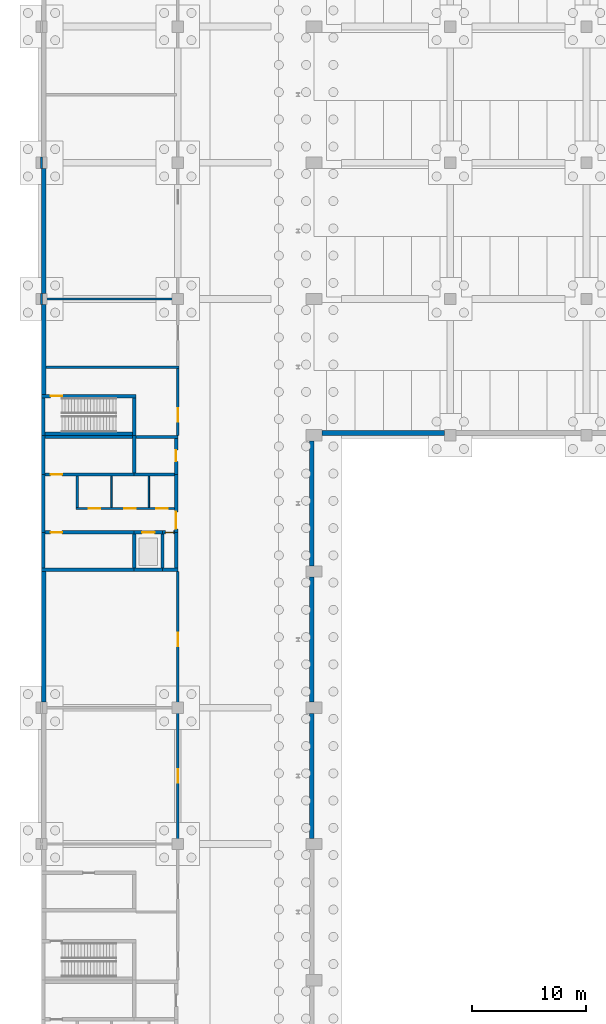
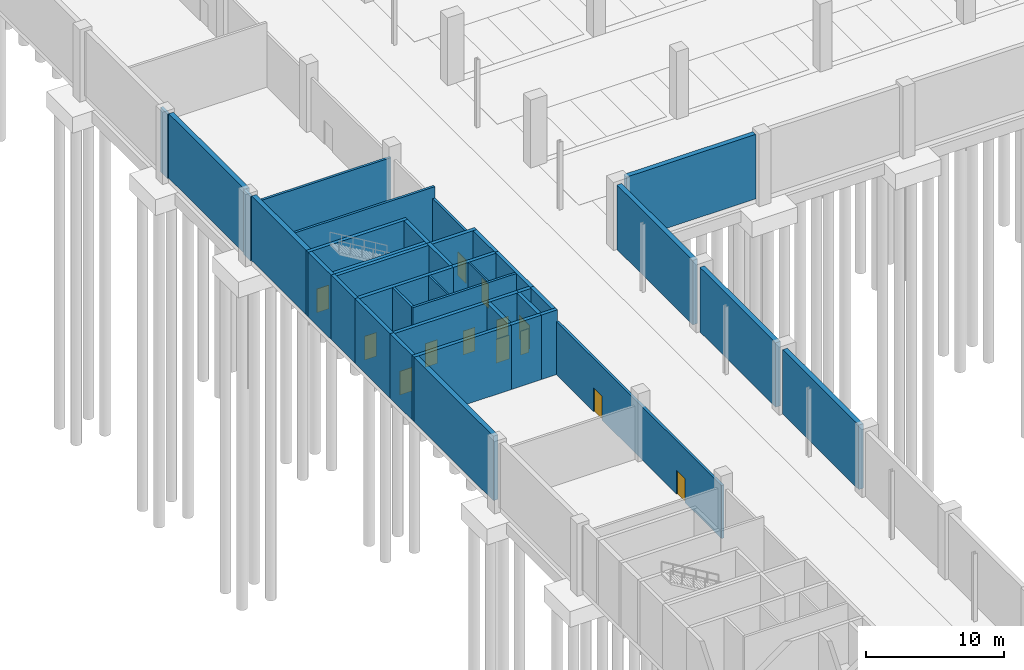
# One storey, part 17 of 34: 40 walls, 13 doors, 13 openings.
"""IFC4 building model written with IfcOpenShell, lengths in metres."""

from ifc_helpers import new_model, si_unit, direction, frame, frame_2d, origin, place, context, subcontext, project, spatial, rectangle, extrude, material, layer, layer_set, type_object, element, fill, save


model = new_model("IFC4")

# Units and contexts
model_context = context("Model", 3, precision=1e-05, world=origin(), true_north=direction((0.0, 1.0)))
body_context = subcontext(model_context, "Body", "Model", "MODEL_VIEW")
ifc_project = project(units=[si_unit("LENGTHUNIT", "METRE"), si_unit("AREAUNIT", "SQUARE_METRE"), si_unit("VOLUMEUNIT", "CUBIC_METRE"), si_unit("PLANEANGLEUNIT", "RADIAN"), si_unit("MASSUNIT", "GRAM", prefix="KILO")], contexts=[model_context])

# Site, building, storey
site_placement = place(None, origin())
site = spatial("IfcSite", under=ifc_project, at=site_placement, CompositionType="ELEMENT")
building_placement = place(site_placement, origin())
building = spatial("IfcBuilding", under=site, at=building_placement, Name="Lilac Gate Convention Centre", CompositionType="ELEMENT")
storey_placement = place(building_placement, frame((0.0, 0.0, -6.0)))
storey = spatial("IfcBuildingStorey", under=building, at=storey_placement, Name="B1", CompositionType="ELEMENT", Elevation=-6.0)

# Walls
ifc_material_1 = material(Name="Concrete C35", Category="concrete")
ifc_layer_1 = layer(ifc_material_1, 0.39990234375)
ifc_layer_set_1 = layer_set([ifc_layer_1], Name="Concrete C35")
wall_type_1 = type_object("IfcWallType", Name="Basement wall 400 C35", PredefinedType="SOLIDWALL", material=ifc_layer_set_1)
for number, where, z_axis, x_axis, name in (
    (1, (29.800048828125, 66.5, 0.0), (0.0, 0.0, 1.0), (0.0, 1.0, 0.0), "SW2 basement wall 4 at 3/A"),
    (2, (29.800048828125, 78.5, 0.0), (0.0, 0.0, 1.0), (0.0, 1.0, 0.0), "SW2 basement wall 5 at 3/A"),
    (3, (29.800048828125, 90.5, 0.0), (0.0, 0.0, 1.0), (0.0, 1.0, 0.0), "SW2 basement wall 6 at 3/A"),
):
    element("IfcWall", number, at=place(storey_placement, frame(where, z_axis=z_axis, x_axis=x_axis)), inside=storey, type_object=wall_type_1, Name=name, PredefinedType="SOLIDWALL", context=body_context, shape_type="SweptSolid", body=[
        extrude(rectangle(XDim=11.0, YDim=0.39990234375, at=frame_2d((5.5, 0.0))), origin(), (0.0, 0.0, 1.0), 5.699951171875),
    ])
wall_1_placement = place(storey_placement, frame((30.699951171875, 102.199951171875, 0.0), z_axis=(0.0, 0.0, 1.0), x_axis=(1.0, 0.0, 0.0)))
element("IfcWall", 4, at=wall_1_placement, inside=storey, type_object=wall_type_1, Name="SW2 basement wall 1 at 3/G", PredefinedType="SOLIDWALL", context=body_context, shape_type="SweptSolid", body=[
    extrude(rectangle(XDim=10.800048828125, YDim=0.39990234375, at=frame_2d((5.39990234375, 0.0))), origin(), (0.0, 0.0, 1.0), 5.699951171875),
])
wall_2_placement = place(storey_placement, frame((6.199951171875, 78.5, 0.0), z_axis=(0.0, 0.0, 1.0), x_axis=(0.0, 1.0, 0.0)))
element("IfcWall", 5, at=wall_2_placement, inside=storey, type_object=wall_type_1, Name="SW2 basement wall 7 at 1/A", PredefinedType="SOLIDWALL", context=body_context, shape_type="SweptSolid", body=[
    extrude(rectangle(XDim=11.5, YDim=0.39990234375, at=frame_2d((5.75, 0.0))), origin(), (0.0, 0.0, 1.0), 5.699951171875),
])
wall_3_placement = place(storey_placement, frame((6.199951171875, 105.60009765625, 0.0), z_axis=(0.0, 0.0, 1.0), x_axis=(0.0, 1.0, 0.0)))
element("IfcWall", 6, at=wall_3_placement, inside=storey, type_object=wall_type_1, Name="SW2 basement wall 8 at 1/A", PredefinedType="SOLIDWALL", context=body_context, shape_type="SweptSolid", body=[
    extrude(rectangle(XDim=7.89990234375, YDim=0.39990234375, at=frame_2d((3.949951171875, 0.0))), origin(), (0.0, 0.0, 1.0), 5.699951171875),
])
wall_4_placement = place(storey_placement, frame((6.199951171875, 114.5, 0.0), z_axis=(0.0, 0.0, 1.0), x_axis=(0.0, 1.0, 0.0)))
element("IfcWall", 7, at=wall_4_placement, inside=storey, type_object=wall_type_1, Name="SW2 basement wall 9 at 1/A", PredefinedType="SOLIDWALL", context=body_context, shape_type="SweptSolid", body=[
    extrude(rectangle(XDim=11.0, YDim=0.39990234375, at=frame_2d((5.5, 0.0))), origin(), (0.0, 0.0, 1.0), 5.699951171875),
])
ifc_material_2 = material(Name="Fire-rated gypsum board on steel stud", Category="steel")
ifc_layer_2 = layer(ifc_material_2, 0.14990234375)
ifc_layer_set_2 = layer_set([ifc_layer_2], Name="Fire-rated gypsum board on steel stud")
wall_type_2 = type_object("IfcWallType", Name="Partition 150 fire-rated gypsum board EI 60", PredefinedType="PARTITIONING", material=ifc_layer_set_2)
for number, where, z_axis, x_axis, name in (
    (8, (12.14990234375, 95.64990234375, 0.0), (0.0, 0.0, 1.0), (0.0, 1.0, 0.0), "Partition 150 fire-rated gypsum board EI 60"),
    (9, (15.449951171875, 95.64990234375, 0.0), (0.0, 0.0, 1.0), (0.0, 1.0, 0.0), "Partition 150 fire-rated gypsum board EI 60"),
):
    element("IfcWall", number, at=place(storey_placement, frame(where, z_axis=z_axis, x_axis=x_axis)), inside=storey, type_object=wall_type_2, Name=name, PredefinedType="PARTITIONING", context=body_context, shape_type="SweptSolid", body=[
        extrude(rectangle(XDim=2.75, YDim=0.14990234375, at=frame_2d((1.375, 0.0))), origin(), (0.0, 0.0, 1.0), 5.699951171875),
    ])
ifc_material_3 = material(Name="Clay brick masonry", Category="masonry")
ifc_layer_3 = layer(ifc_material_3, 0.199951171875)
ifc_layer_set_3 = layer_set([ifc_layer_3], Name="Clay brick masonry")
wall_type_3 = type_object("IfcWallType", Name="Partition 200 brick EI 120", PredefinedType="PARTITIONING", material=ifc_layer_set_3)
wall_5_placement = place(storey_placement, frame((6.39990234375, 108.0, 0.0), z_axis=(0.0, 0.0, 1.0), x_axis=(1.0, 0.0, 0.0)))
element("IfcWall", 10, at=wall_5_placement, inside=storey, type_object=wall_type_3, Name="Partition 200 brick EI 120", PredefinedType="PARTITIONING", context=body_context, shape_type="SweptSolid", body=[
    extrude(rectangle(XDim=11.7001953125, YDim=0.199951171875, at=frame_2d((5.85009765625, 0.0))), origin(), (0.0, 0.0, 1.0), 5.699951171875),
])
wall_6_placement = place(storey_placement, frame((6.10009765625, 114.0, 0.0), z_axis=(0.0, 0.0, 1.0), x_axis=(1.0, 0.0, 0.0)))
element("IfcWall", 11, at=wall_6_placement, inside=storey, type_object=wall_type_3, Name="Partition 200 brick EI 120", PredefinedType="PARTITIONING", context=body_context, shape_type="SweptSolid", body=[
    extrude(rectangle(XDim=11.7998046875, YDim=0.199951171875, at=frame_2d((5.89990234375, 0.0))), origin(), (0.0, 0.0, 1.0), 4.699951171875),
])
for number, where, z_axis, x_axis, name in (
    (12, (6.0, 113.5, 0.0), (0.0, 0.0, 1.0), (0.0, 1.0, 0.0), "Partition 200 brick EI 120"),
    (13, (6.0, 125.5, 0.0), (0.0, 0.0, 1.0), (0.0, 1.0, 0.0), "Partition 200 brick EI 120"),
):
    element("IfcWall", number, at=place(storey_placement, frame(where, z_axis=z_axis, x_axis=x_axis)), inside=storey, type_object=wall_type_3, Name=name, PredefinedType="PARTITIONING", context=body_context, shape_type="SweptSolid", body=[
        extrude(rectangle(XDim=1.0, YDim=0.199951171875, at=frame_2d((0.5, 0.0))), origin(), (0.0, 0.0, 1.0), 5.699951171875),
    ])

# Wall, openings, doors
wall_7_placement = place(storey_placement, frame((18.0, 66.10009765625, 0.0), z_axis=(0.0, 0.0, 1.0), x_axis=(0.0, 1.0, 0.0)))
wall_7 = element("IfcWall", 14, at=wall_7_placement, inside=storey, type_object=wall_type_3, Name="Partition 200 brick EI 120", PredefinedType="PARTITIONING", context=body_context, shape_type="SweptSolid", body=[
    extrude(rectangle(XDim=23.89990234375, YDim=0.199951171875, at=frame_2d((11.949951171875, 0.0))), origin(), (0.0, 0.0, 1.0), 4.699951171875),
])
opening_1_placement = place(wall_7_placement, frame((5.300048828125, 0.0, 0.0)))
opening_1 = element("IfcOpeningElement", 15, at=opening_1_placement, cuts=wall_7, Name="Opening B1-013", PredefinedType="OPENING", context=body_context, shape_type="SweptSolid", body=[
    extrude(rectangle(XDim=1.199951171875, YDim=2.10009765625, at=frame_2d((0.60009765625, 1.050048828125))), frame((0.0, 0.10986328125, 0.0), z_axis=(0.0, -1.0, 0.0), x_axis=(1.0, 0.0, 0.0)), (0.0, 0.0, 1.0), 0.219970703125),
])
opening_2_placement = place(wall_7_placement, frame((17.300048828125, 0.0, 0.0)))
opening_2 = element("IfcOpeningElement", 16, at=opening_2_placement, cuts=wall_7, Name="Opening B1-014", PredefinedType="OPENING", context=body_context, shape_type="SweptSolid", body=[
    extrude(rectangle(XDim=1.199951171875, YDim=2.10009765625, at=frame_2d((0.60009765625, 1.050048828125))), frame((0.0, 0.10986328125, 0.0), z_axis=(0.0, -1.0, 0.0), x_axis=(1.0, 0.0, 0.0)), (0.0, 0.0, 1.0), 0.219970703125),
])
ifc_material_4 = material(Name="Timber fire door leaf", Category="wood")
door_type_1 = type_object("IfcDoorType", Name="Door 1200 x 2100 single leaf FD30", OperationType="SINGLE_SWING_LEFT", PredefinedType="DOOR", material=ifc_material_4)
door_1_placement = place(opening_1_placement, origin())
door_1 = element("IfcDoor", 17, at=door_1_placement, inside=storey, type_object=door_type_1, Name="Plant room door B1-013", OperationType="SINGLE_SWING_LEFT", OverallHeight=2.10009765625, OverallWidth=1.199951171875, PredefinedType="DOOR", context=body_context, shape_type="SweptSolid", body=[
    extrude(rectangle(XDim=1.199951171875, YDim=2.10009765625, at=frame_2d((0.60009765625, 1.050048828125))), frame((0.0, 0.02490234375, 0.0), z_axis=(0.0, -1.0, 0.0), x_axis=(1.0, 0.0, 0.0)), (0.0, 0.0, 1.0), 0.050048828125),
])
fill(opening_1, door_1)
door_2_placement = place(opening_2_placement, origin())
door_2 = element("IfcDoor", 18, at=door_2_placement, inside=storey, type_object=door_type_1, Name="Plant room door B1-014", OperationType="SINGLE_SWING_LEFT", OverallHeight=2.10009765625, OverallWidth=1.199951171875, PredefinedType="DOOR", context=body_context, shape_type="SweptSolid", body=[
    extrude(rectangle(XDim=1.199951171875, YDim=2.10009765625, at=frame_2d((0.60009765625, 1.050048828125))), frame((0.0, 0.02490234375, 0.0), z_axis=(0.0, -1.0, 0.0), x_axis=(1.0, 0.0, 0.0)), (0.0, 0.0, 1.0), 0.050048828125),
])
fill(opening_2, door_2)

ifc_layer_4 = layer(ifc_material_3, 0.199951171875)
ifc_layer_set_4 = layer_set([ifc_layer_4], Name="Clay brick masonry")
wall_type_4 = type_object("IfcWallType", Name="Partition 200 brick EI 60", PredefinedType="PARTITIONING", material=ifc_layer_set_4)
wall_8_placement = place(storey_placement, frame((9.050048828125, 95.550048828125, 0.0), z_axis=(0.0, 0.0, 1.0), x_axis=(1.0, 0.0, 0.0)))
wall_8 = element("IfcWall", 19, at=wall_8_placement, inside=storey, type_object=wall_type_4, Name="Partition 200 brick EI 60", PredefinedType="PARTITIONING", context=body_context, shape_type="SweptSolid", body=[
    extrude(rectangle(XDim=8.64990234375, YDim=0.199951171875, at=frame_2d((4.324951171875, 0.0))), origin(), (0.0, 0.0, 1.0), 5.699951171875),
])
opening_3_placement = place(wall_8_placement, frame((1.10009765625, 0.0, 0.0)))
opening_3 = element("IfcOpeningElement", 20, at=opening_3_placement, cuts=wall_8, Name="Opening B1-018", PredefinedType="OPENING", context=body_context, shape_type="SweptSolid", body=[
    extrude(rectangle(XDim=1.0, YDim=2.10009765625, at=frame_2d((0.5, 1.050048828125))), frame((0.0, 0.10986328125, 0.0), z_axis=(0.0, -1.0, 0.0), x_axis=(1.0, 0.0, 0.0)), (0.0, 0.0, 1.0), 0.219970703125),
])
opening_4_placement = place(wall_8_placement, frame((4.25, 0.0, 0.0)))
opening_4 = element("IfcOpeningElement", 21, at=opening_4_placement, cuts=wall_8, Name="Opening B1-019", PredefinedType="OPENING", context=body_context, shape_type="SweptSolid", body=[
    extrude(rectangle(XDim=1.0, YDim=2.10009765625, at=frame_2d((0.5, 1.050048828125))), frame((0.0, 0.10986328125, 0.0), z_axis=(0.0, -1.0, 0.0), x_axis=(1.0, 0.0, 0.0)), (0.0, 0.0, 1.0), 0.219970703125),
])
opening_5_placement = place(wall_8_placement, frame((7.050048828125, 0.0, 0.0)))
opening_5 = element("IfcOpeningElement", 22, at=opening_5_placement, cuts=wall_8, Name="Opening B1-020", PredefinedType="OPENING", context=body_context, shape_type="SweptSolid", body=[
    extrude(rectangle(XDim=1.0, YDim=2.10009765625, at=frame_2d((0.5, 1.050048828125))), frame((0.0, 0.10986328125, 0.0), z_axis=(0.0, -1.0, 0.0), x_axis=(1.0, 0.0, 0.0)), (0.0, 0.0, 1.0), 0.219970703125),
])
door_type_2 = type_object("IfcDoorType", Name="Door 1000 x 2100 single leaf FD30", OperationType="SINGLE_SWING_LEFT", PredefinedType="DOOR", material=ifc_material_4)
door_3_placement = place(opening_3_placement, origin())
door_3 = element("IfcDoor", 23, at=door_3_placement, inside=storey, type_object=door_type_2, Name="WC door B1-018", OperationType="SINGLE_SWING_RIGHT", OverallHeight=2.10009765625, OverallWidth=1.0, PredefinedType="DOOR", context=body_context, shape_type="SweptSolid", body=[
    extrude(rectangle(XDim=1.0, YDim=2.10009765625, at=frame_2d((0.5, 1.050048828125))), frame((0.0, 0.02490234375, 0.0), z_axis=(0.0, -1.0, 0.0), x_axis=(1.0, 0.0, 0.0)), (0.0, 0.0, 1.0), 0.050048828125),
])
fill(opening_3, door_3)
door_4_placement = place(opening_4_placement, origin())
door_4 = element("IfcDoor", 24, at=door_4_placement, inside=storey, type_object=door_type_2, Name="WC door B1-019", OperationType="SINGLE_SWING_LEFT", OverallHeight=2.10009765625, OverallWidth=1.0, PredefinedType="DOOR", context=body_context, shape_type="SweptSolid", body=[
    extrude(rectangle(XDim=1.0, YDim=2.10009765625, at=frame_2d((0.5, 1.050048828125))), frame((0.0, 0.02490234375, 0.0), z_axis=(0.0, -1.0, 0.0), x_axis=(1.0, 0.0, 0.0)), (0.0, 0.0, 1.0), 0.050048828125),
])
fill(opening_4, door_4)
door_5_placement = place(opening_5_placement, origin())
door_5 = element("IfcDoor", 25, at=door_5_placement, inside=storey, type_object=door_type_2, Name="Accessible WC door B1-020", OperationType="SINGLE_SWING_LEFT", OverallHeight=2.10009765625, OverallWidth=1.0, PredefinedType="DOOR", context=body_context, shape_type="SweptSolid", body=[
    extrude(rectangle(XDim=1.0, YDim=2.10009765625, at=frame_2d((0.5, 1.050048828125))), frame((0.0, 0.02490234375, 0.0), z_axis=(0.0, -1.0, 0.0), x_axis=(1.0, 0.0, 0.0)), (0.0, 0.0, 1.0), 0.050048828125),
])
fill(opening_5, door_5)

# Wall
wall_9_placement = place(storey_placement, frame((9.14990234375, 95.64990234375, 0.0), z_axis=(0.0, 0.0, 1.0), x_axis=(0.0, 1.0, 0.0)))
element("IfcWall", 26, at=wall_9_placement, inside=storey, type_object=wall_type_4, Name="Partition 200 brick EI 60", PredefinedType="PARTITIONING", context=body_context, shape_type="SweptSolid", body=[
    extrude(rectangle(XDim=2.75, YDim=0.199951171875, at=frame_2d((1.375, 0.0))), origin(), (0.0, 0.0, 1.0), 5.699951171875),
])

# Wall, opening, door
wall_10_placement = place(storey_placement, frame((18.0, 102.0, 0.0), z_axis=(0.0, 0.0, 1.0), x_axis=(0.0, 1.0, 0.0)))
wall_10 = element("IfcWall", 27, at=wall_10_placement, inside=storey, type_object=wall_type_4, Name="Partition 200 brick EI 60", PredefinedType="PARTITIONING", context=body_context, shape_type="SweptSolid", body=[
    extrude(rectangle(XDim=5.89990234375, YDim=0.199951171875, at=frame_2d((2.949951171875, 0.0))), origin(), (0.0, 0.0, 1.0), 4.699951171875),
])
opening_6_placement = place(wall_10_placement, frame((1.199951171875, 0.0, 0.0)))
opening_6 = element("IfcOpeningElement", 28, at=opening_6_placement, cuts=wall_10, Name="Opening B1-023", PredefinedType="OPENING", context=body_context, shape_type="SweptSolid", body=[
    extrude(rectangle(XDim=1.199951171875, YDim=2.10009765625, at=frame_2d((0.60009765625, 1.050048828125))), frame((0.0, 0.10986328125, 0.0), z_axis=(0.0, -1.0, 0.0), x_axis=(1.0, 0.0, 0.0)), (0.0, 0.0, 1.0), 0.219970703125),
])
door_type_3 = type_object("IfcDoorType", Name="Door 1200 x 2100 single leaf FD60", OperationType="SINGLE_SWING_LEFT", PredefinedType="DOOR", material=ifc_material_4)
door_6_placement = place(opening_6_placement, origin())
door_6 = element("IfcDoor", 29, at=door_6_placement, inside=storey, type_object=door_type_3, Name="Lobby door B1-023", OperationType="SINGLE_SWING_RIGHT", OverallHeight=2.10009765625, OverallWidth=1.199951171875, PredefinedType="DOOR", context=body_context, shape_type="SweptSolid", body=[
    extrude(rectangle(XDim=1.199951171875, YDim=2.10009765625, at=frame_2d((0.60009765625, 1.050048828125))), frame((0.0, 0.02490234375, 0.0), z_axis=(0.0, -1.0, 0.0), x_axis=(1.0, 0.0, 0.0)), (0.0, 0.0, 1.0), 0.050048828125),
])
fill(opening_6, door_6)

# Wall
ifc_material_5 = material(Name="Concrete C40", Category="concrete")
ifc_layer_5 = layer(ifc_material_5, 0.300048828125)
ifc_layer_set_5 = layer_set([ifc_layer_5], Name="Concrete C40")
wall_type_5 = type_object("IfcWallType", Name="Shear wall 300 C40", PredefinedType="SHEAR", material=ifc_layer_set_5)
wall_11_placement = place(storey_placement, frame((6.0, 102.14990234375, 0.0), z_axis=(0.0, 0.0, 1.0), x_axis=(1.0, 0.0, 0.0)))
element("IfcWall", 30, at=wall_11_placement, inside=storey, type_object=wall_type_5, Name="SW1 shear wall BW2 B1 1", PredefinedType="SHEAR", context=body_context, shape_type="SweptSolid", body=[
    extrude(rectangle(XDim=8.300048828125, YDim=0.300048828125, at=frame_2d((4.14990234375, 0.0))), origin(), (0.0, 0.0, 1.0), 5.699951171875),
])

# Wall, opening, door
wall_12_placement = place(storey_placement, frame((6.0, 105.449951171875, 0.0), z_axis=(0.0, 0.0, 1.0), x_axis=(1.0, 0.0, 0.0)))
wall_12 = element("IfcWall", 31, at=wall_12_placement, inside=storey, type_object=wall_type_5, Name="SW1 shear wall BW2 B1 2", PredefinedType="SHEAR", context=body_context, shape_type="SweptSolid", body=[
    extrude(rectangle(XDim=8.300048828125, YDim=0.300048828125, at=frame_2d((4.14990234375, 0.0))), origin(), (0.0, 0.0, 1.0), 5.699951171875),
])
opening_7_placement = place(wall_12_placement, frame((0.800048828125, 0.0, 0.0)))
opening_7 = element("IfcOpeningElement", 32, at=opening_7_placement, cuts=wall_12, Name="Opening B1-024", PredefinedType="OPENING", context=body_context, shape_type="SweptSolid", body=[
    extrude(rectangle(XDim=1.0, YDim=2.10009765625, at=frame_2d((0.5, 1.050048828125))), frame((0.0, 0.159912109375, 0.0), z_axis=(0.0, -1.0, 0.0), x_axis=(1.0, 0.0, 0.0)), (0.0, 0.0, 1.0), 0.320068359375),
])
door_type_4 = type_object("IfcDoorType", Name="Door 1000 x 2100 single leaf FD60", OperationType="SINGLE_SWING_LEFT", PredefinedType="DOOR", material=ifc_material_4)
door_7_placement = place(opening_7_placement, frame((1.0, 0.0, 0.0), z_axis=(0.0, 0.0, 1.0), x_axis=(-1.0, 0.0, 0.0)))
door_7 = element("IfcDoor", 33, at=door_7_placement, inside=storey, type_object=door_type_4, Name="Stair door B1-024", OperationType="SINGLE_SWING_LEFT", OverallHeight=2.10009765625, OverallWidth=1.0, PredefinedType="DOOR", context=body_context, shape_type="SweptSolid", body=[
    extrude(rectangle(XDim=1.0, YDim=2.10009765625, at=frame_2d((0.5, 1.050048828125))), frame((0.0, 0.02490234375, 0.0), z_axis=(0.0, -1.0, 0.0), x_axis=(1.0, 0.0, 0.0)), (0.0, 0.0, 1.0), 0.050048828125),
])
fill(opening_7, door_7)

# Walls
for number, where, z_axis, x_axis, name in (
    (34, (6.14990234375, 102.0, 0.0), (0.0, 0.0, 1.0), (0.0, 1.0, 0.0), "SW1 shear wall BW2 B1 3"),
    (35, (14.14990234375, 102.0, 0.0), (0.0, 0.0, 1.0), (0.0, 1.0, 0.0), "SW1 shear wall BW2 B1 4"),
):
    element("IfcWall", number, at=place(storey_placement, frame(where, z_axis=z_axis, x_axis=x_axis)), inside=storey, type_object=wall_type_5, Name=name, PredefinedType="SHEAR", context=body_context, shape_type="SweptSolid", body=[
        extrude(rectangle(XDim=3.300048828125, YDim=0.300048828125, at=frame_2d((1.64990234375, 0.0))), origin(), (0.0, 0.0, 1.0), 5.699951171875),
    ])
wall_13_placement = place(storey_placement, frame((6.0, 90.14990234375, 0.0), z_axis=(0.0, 0.0, 1.0), x_axis=(1.0, 0.0, 0.0)))
element("IfcWall", 36, at=wall_13_placement, inside=storey, type_object=wall_type_5, Name="SW1 shear wall W2 B1 1", PredefinedType="SHEAR", context=body_context, shape_type="SweptSolid", body=[
    extrude(rectangle(XDim=8.14990234375, YDim=0.300048828125, at=frame_2d((4.074951171875, 0.0))), origin(), (0.0, 0.0, 1.0), 5.699951171875),
])
wall_14_placement = place(storey_placement, frame((14.14990234375, 90.14990234375, 0.0), z_axis=(0.0, 0.0, 1.0), x_axis=(1.0, 0.0, 0.0)))
element("IfcWall", 37, at=wall_14_placement, inside=storey, type_object=wall_type_5, Name="SW1 shear wall W2 B1 2", PredefinedType="SHEAR", context=body_context, shape_type="SweptSolid", body=[
    extrude(rectangle(XDim=2.5, YDim=0.300048828125, at=frame_2d((1.25, 0.0))), origin(), (0.0, 0.0, 1.0), 5.699951171875),
])
wall_15_placement = place(storey_placement, frame((16.64990234375, 90.14990234375, 0.0), z_axis=(0.0, 0.0, 1.0), x_axis=(1.0, 0.0, 0.0)))
element("IfcWall", 38, at=wall_15_placement, inside=storey, type_object=wall_type_5, Name="SW1 shear wall W2 B1 3", PredefinedType="SHEAR", context=body_context, shape_type="SweptSolid", body=[
    extrude(rectangle(XDim=1.35009765625, YDim=0.300048828125, at=frame_2d((0.675048828125, 0.0))), origin(), (0.0, 0.0, 1.0), 5.699951171875),
])
wall_16_placement = place(storey_placement, frame((6.0, 101.85009765625, 0.0), z_axis=(0.0, 0.0, 1.0), x_axis=(1.0, 0.0, 0.0)))
element("IfcWall", 39, at=wall_16_placement, inside=storey, type_object=wall_type_5, Name="SW1 shear wall W2 B1 4", PredefinedType="SHEAR", context=body_context, shape_type="SweptSolid", body=[
    extrude(rectangle(XDim=8.14990234375, YDim=0.300048828125, at=frame_2d((4.074951171875, 0.0))), origin(), (0.0, 0.0, 1.0), 5.699951171875),
])
wall_17_placement = place(storey_placement, frame((14.14990234375, 101.85009765625, 0.0), z_axis=(0.0, 0.0, 1.0), x_axis=(1.0, 0.0, 0.0)))
element("IfcWall", 40, at=wall_17_placement, inside=storey, type_object=wall_type_5, Name="SW1 shear wall W2 B1 5", PredefinedType="SHEAR", context=body_context, shape_type="SweptSolid", body=[
    extrude(rectangle(XDim=3.85009765625, YDim=0.300048828125, at=frame_2d((1.925048828125, 0.0))), origin(), (0.0, 0.0, 1.0), 5.699951171875),
])

# Wall, opening, door
wall_18_placement = place(storey_placement, frame((6.0, 93.449951171875, 0.0), z_axis=(0.0, 0.0, 1.0), x_axis=(1.0, 0.0, 0.0)))
wall_18 = element("IfcWall", 41, at=wall_18_placement, inside=storey, type_object=wall_type_5, Name="SW1 shear wall W2 B1 6", PredefinedType="SHEAR", context=body_context, shape_type="SweptSolid", body=[
    extrude(rectangle(XDim=8.14990234375, YDim=0.300048828125, at=frame_2d((4.074951171875, 0.0))), origin(), (0.0, 0.0, 1.0), 5.699951171875),
])
opening_8_placement = place(wall_18_placement, frame((0.800048828125, 0.0, 0.0)))
opening_8 = element("IfcOpeningElement", 42, at=opening_8_placement, cuts=wall_18, Name="Opening B1-015", PredefinedType="OPENING", context=body_context, shape_type="SweptSolid", body=[
    extrude(rectangle(XDim=1.0, YDim=2.10009765625, at=frame_2d((0.5, 1.050048828125))), frame((0.0, 0.159912109375, 0.0), z_axis=(0.0, -1.0, 0.0), x_axis=(1.0, 0.0, 0.0)), (0.0, 0.0, 1.0), 0.320068359375),
])
door_8_placement = place(opening_8_placement, frame((1.0, 0.0, 0.0), z_axis=(0.0, 0.0, 1.0), x_axis=(-1.0, 0.0, 0.0)))
door_8 = element("IfcDoor", 43, at=door_8_placement, inside=storey, type_object=door_type_4, Name="Store door B1-015", OperationType="SINGLE_SWING_LEFT", OverallHeight=2.10009765625, OverallWidth=1.0, PredefinedType="DOOR", context=body_context, shape_type="SweptSolid", body=[
    extrude(rectangle(XDim=1.0, YDim=2.10009765625, at=frame_2d((0.5, 1.050048828125))), frame((0.0, 0.02490234375, 0.0), z_axis=(0.0, -1.0, 0.0), x_axis=(1.0, 0.0, 0.0)), (0.0, 0.0, 1.0), 0.050048828125),
])
fill(opening_8, door_8)

wall_19_placement = place(storey_placement, frame((14.14990234375, 93.449951171875, 0.0), z_axis=(0.0, 0.0, 1.0), x_axis=(1.0, 0.0, 0.0)))
wall_19 = element("IfcWall", 44, at=wall_19_placement, inside=storey, type_object=wall_type_5, Name="SW1 shear wall W2 B1 7", PredefinedType="SHEAR", context=body_context, shape_type="SweptSolid", body=[
    extrude(rectangle(XDim=2.5, YDim=0.300048828125, at=frame_2d((1.25, 0.0))), origin(), (0.0, 0.0, 1.0), 5.699951171875),
])
opening_9_placement = place(wall_19_placement, frame((0.699951171875, 0.0, 0.0)))
opening_9 = element("IfcOpeningElement", 45, at=opening_9_placement, cuts=wall_19, Name="Opening LDW2-B1", PredefinedType="OPENING", context=body_context, shape_type="SweptSolid", body=[
    extrude(rectangle(XDim=1.10009765625, YDim=2.10009765625, at=frame_2d((0.550048828125, 1.050048828125))), frame((0.0, 0.159912109375, 0.0), z_axis=(0.0, -1.0, 0.0), x_axis=(1.0, 0.0, 0.0)), (0.0, 0.0, 1.0), 0.320068359375),
])
ifc_material_6 = material(Name="Stainless steel 304", Category="steel")
door_type_5 = type_object("IfcDoorType", Name="Lift landing door 1100 x 2100", OperationType="SLIDING_TO_LEFT", PredefinedType="DOOR", material=ifc_material_6)
door_9_placement = place(opening_9_placement, origin())
door_9 = element("IfcDoor", 46, at=door_9_placement, inside=storey, type_object=door_type_5, Name="Lift landing door LDW2-B1", OperationType="SLIDING_TO_LEFT", OverallHeight=2.10009765625, OverallWidth=1.10009765625, PredefinedType="DOOR", context=body_context, shape_type="SweptSolid", body=[
    extrude(rectangle(XDim=1.10009765625, YDim=2.10009765625, at=frame_2d((0.550048828125, 1.050048828125))), frame((0.0, 0.02490234375, 0.0), z_axis=(0.0, -1.0, 0.0), x_axis=(1.0, 0.0, 0.0)), (0.0, 0.0, 1.0), 0.050048828125),
])
fill(opening_9, door_9)

wall_20_placement = place(storey_placement, frame((16.64990234375, 93.449951171875, 0.0), z_axis=(0.0, 0.0, 1.0), x_axis=(1.0, 0.0, 0.0)))
wall_20 = element("IfcWall", 47, at=wall_20_placement, inside=storey, type_object=wall_type_5, Name="SW1 shear wall W2 B1 8", PredefinedType="SHEAR", context=body_context, shape_type="SweptSolid", body=[
    extrude(rectangle(XDim=1.050048828125, YDim=0.300048828125, at=frame_2d((0.52490234375, 0.0))), origin(), (0.0, 0.0, 1.0), 5.699951171875),
])
opening_10_placement = place(wall_20_placement, frame((0.25, 0.0, 0.0)))
opening_10 = element("IfcOpeningElement", 48, at=opening_10_placement, cuts=wall_20, Name="Opening B1-016", PredefinedType="OPENING", context=body_context, shape_type="SweptSolid", body=[
    extrude(rectangle(XDim=0.699951171875, YDim=2.10009765625, at=frame_2d((0.35009765625, 1.050048828125))), frame((0.0, 0.159912109375, 0.0), z_axis=(0.0, -1.0, 0.0), x_axis=(1.0, 0.0, 0.0)), (0.0, 0.0, 1.0), 0.320068359375),
])
door_type_6 = type_object("IfcDoorType", Name="Door 700 x 2100 single leaf FD30", OperationType="SINGLE_SWING_LEFT", PredefinedType="DOOR", material=ifc_material_4)
door_10_placement = place(opening_10_placement, frame((0.699951171875, 0.0, 0.0), z_axis=(0.0, 0.0, 1.0), x_axis=(-1.0, 0.0, 0.0)))
door_10 = element("IfcDoor", 49, at=door_10_placement, inside=storey, type_object=door_type_6, Name="Riser access door B1-016", OperationType="SINGLE_SWING_LEFT", OverallHeight=2.10009765625, OverallWidth=0.699951171875, PredefinedType="DOOR", context=body_context, shape_type="SweptSolid", body=[
    extrude(rectangle(XDim=0.699951171875, YDim=2.10009765625, at=frame_2d((0.35009765625, 1.050048828125))), frame((0.0, 0.02490234375, 0.0), z_axis=(0.0, -1.0, 0.0), x_axis=(1.0, 0.0, 0.0)), (0.0, 0.0, 1.0), 0.050048828125),
])
fill(opening_10, door_10)

wall_21_placement = place(storey_placement, frame((6.0, 98.550048828125, 0.0), z_axis=(0.0, 0.0, 1.0), x_axis=(1.0, 0.0, 0.0)))
wall_21 = element("IfcWall", 50, at=wall_21_placement, inside=storey, type_object=wall_type_5, Name="SW1 shear wall W2 B1 9", PredefinedType="SHEAR", context=body_context, shape_type="SweptSolid", body=[
    extrude(rectangle(XDim=8.14990234375, YDim=0.300048828125, at=frame_2d((4.074951171875, 0.0))), origin(), (0.0, 0.0, 1.0), 5.699951171875),
])
opening_11_placement = place(wall_21_placement, frame((0.800048828125, 0.0, 0.0)))
opening_11 = element("IfcOpeningElement", 51, at=opening_11_placement, cuts=wall_21, Name="Opening B1-021", PredefinedType="OPENING", context=body_context, shape_type="SweptSolid", body=[
    extrude(rectangle(XDim=1.0, YDim=2.10009765625, at=frame_2d((0.5, 1.050048828125))), frame((0.0, 0.159912109375, 0.0), z_axis=(0.0, -1.0, 0.0), x_axis=(1.0, 0.0, 0.0)), (0.0, 0.0, 1.0), 0.320068359375),
])
door_11_placement = place(opening_11_placement, origin())
door_11 = element("IfcDoor", 52, at=door_11_placement, inside=storey, type_object=door_type_4, Name="Store door B1-021", OperationType="SINGLE_SWING_RIGHT", OverallHeight=2.10009765625, OverallWidth=1.0, PredefinedType="DOOR", context=body_context, shape_type="SweptSolid", body=[
    extrude(rectangle(XDim=1.0, YDim=2.10009765625, at=frame_2d((0.5, 1.050048828125))), frame((0.0, 0.02490234375, 0.0), z_axis=(0.0, -1.0, 0.0), x_axis=(1.0, 0.0, 0.0)), (0.0, 0.0, 1.0), 0.050048828125),
])
fill(opening_11, door_11)

# Walls
wall_22_placement = place(storey_placement, frame((14.14990234375, 98.550048828125, 0.0), z_axis=(0.0, 0.0, 1.0), x_axis=(1.0, 0.0, 0.0)))
element("IfcWall", 53, at=wall_22_placement, inside=storey, type_object=wall_type_5, Name="SW1 shear wall W2 B1 10", PredefinedType="SHEAR", context=body_context, shape_type="SweptSolid", body=[
    extrude(rectangle(XDim=3.550048828125, YDim=0.300048828125, at=frame_2d((1.77490234375, 0.0))), origin(), (0.0, 0.0, 1.0), 5.699951171875),
])
wall_23_placement = place(storey_placement, frame((6.14990234375, 90.300048828125, 0.0), z_axis=(0.0, 0.0, 1.0), x_axis=(0.0, 1.0, 0.0)))
element("IfcWall", 54, at=wall_23_placement, inside=storey, type_object=wall_type_5, Name="SW1 shear wall W2 B1 11", PredefinedType="SHEAR", context=body_context, shape_type="SweptSolid", body=[
    extrude(rectangle(XDim=3.14990234375, YDim=0.300048828125, at=frame_2d((1.574951171875, 0.0))), origin(), (0.0, 0.0, 1.0), 5.699951171875),
])
wall_24_placement = place(storey_placement, frame((6.14990234375, 93.449951171875, 0.0), z_axis=(0.0, 0.0, 1.0), x_axis=(0.0, 1.0, 0.0)))
element("IfcWall", 55, at=wall_24_placement, inside=storey, type_object=wall_type_5, Name="SW1 shear wall W2 B1 12", PredefinedType="SHEAR", context=body_context, shape_type="SweptSolid", body=[
    extrude(rectangle(XDim=5.10009765625, YDim=0.300048828125, at=frame_2d((2.550048828125, 0.0))), origin(), (0.0, 0.0, 1.0), 5.699951171875),
])
wall_25_placement = place(storey_placement, frame((6.14990234375, 98.550048828125, 0.0), z_axis=(0.0, 0.0, 1.0), x_axis=(0.0, 1.0, 0.0)))
element("IfcWall", 56, at=wall_25_placement, inside=storey, type_object=wall_type_5, Name="SW1 shear wall W2 B1 13", PredefinedType="SHEAR", context=body_context, shape_type="SweptSolid", body=[
    extrude(rectangle(XDim=3.449951171875, YDim=0.300048828125, at=frame_2d((1.72509765625, 0.0))), origin(), (0.0, 0.0, 1.0), 5.699951171875),
])
wall_26_placement = place(storey_placement, frame((17.85009765625, 90.300048828125, 0.0), z_axis=(0.0, 0.0, 1.0), x_axis=(0.0, 1.0, 0.0)))
element("IfcWall", 57, at=wall_26_placement, inside=storey, type_object=wall_type_5, Name="SW1 shear wall W2 B1 14", PredefinedType="SHEAR", context=body_context, shape_type="SweptSolid", body=[
    extrude(rectangle(XDim=3.14990234375, YDim=0.300048828125, at=frame_2d((1.574951171875, 0.0))), origin(), (0.0, 0.0, 1.0), 5.699951171875),
])

# Wall, opening, door
wall_27_placement = place(storey_placement, frame((17.85009765625, 93.449951171875, 0.0), z_axis=(0.0, 0.0, 1.0), x_axis=(0.0, 1.0, 0.0)))
wall_27 = element("IfcWall", 58, at=wall_27_placement, inside=storey, type_object=wall_type_5, Name="SW1 shear wall W2 B1 15", PredefinedType="SHEAR", context=body_context, shape_type="SweptSolid", body=[
    extrude(rectangle(XDim=5.10009765625, YDim=0.300048828125, at=frame_2d((2.550048828125, 0.0))), origin(), (0.0, 0.0, 1.0), 5.699951171875),
])
opening_12_placement = place(wall_27_placement, frame((0.300048828125, 0.0, 0.0)))
opening_12 = element("IfcOpeningElement", 59, at=opening_12_placement, cuts=wall_27, Name="Opening B1-017", PredefinedType="OPENING", context=body_context, shape_type="SweptSolid", body=[
    extrude(rectangle(XDim=1.5, YDim=2.10009765625, at=frame_2d((0.75, 1.050048828125))), frame((0.0, 0.159912109375, 0.0), z_axis=(0.0, -1.0, 0.0), x_axis=(1.0, 0.0, 0.0)), (0.0, 0.0, 1.0), 0.320068359375),
])
door_type_7 = type_object("IfcDoorType", Name="Door 1500 x 2100 double leaf FD30", OperationType="DOUBLE_DOOR_SINGLE_SWING", PredefinedType="DOOR", material=ifc_material_4)
door_12_placement = place(opening_12_placement, origin())
door_12 = element("IfcDoor", 60, at=door_12_placement, inside=storey, type_object=door_type_7, Name="Lobby door B1-017", OperationType="DOUBLE_DOOR_SINGLE_SWING", OverallHeight=2.10009765625, OverallWidth=1.5, PredefinedType="DOOR", context=body_context, shape_type="SweptSolid", body=[
    extrude(rectangle(XDim=1.5, YDim=2.10009765625, at=frame_2d((0.75, 1.050048828125))), frame((0.0, 0.02490234375, 0.0), z_axis=(0.0, -1.0, 0.0), x_axis=(1.0, 0.0, 0.0)), (0.0, 0.0, 1.0), 0.050048828125),
])
fill(opening_12, door_12)

wall_28_placement = place(storey_placement, frame((17.85009765625, 98.550048828125, 0.0), z_axis=(0.0, 0.0, 1.0), x_axis=(0.0, 1.0, 0.0)))
wall_28 = element("IfcWall", 61, at=wall_28_placement, inside=storey, type_object=wall_type_5, Name="SW1 shear wall W2 B1 16", PredefinedType="SHEAR", context=body_context, shape_type="SweptSolid", body=[
    extrude(rectangle(XDim=3.14990234375, YDim=0.300048828125, at=frame_2d((1.574951171875, 0.0))), origin(), (0.0, 0.0, 1.0), 5.699951171875),
])
opening_13_placement = place(wall_28_placement, frame((1.14990234375, 0.0, 0.0)))
opening_13 = element("IfcOpeningElement", 62, at=opening_13_placement, cuts=wall_28, Name="Opening B1-022", PredefinedType="OPENING", context=body_context, shape_type="SweptSolid", body=[
    extrude(rectangle(XDim=1.0, YDim=2.10009765625, at=frame_2d((0.5, 1.050048828125))), frame((0.0, 0.159912109375, 0.0), z_axis=(0.0, -1.0, 0.0), x_axis=(1.0, 0.0, 0.0)), (0.0, 0.0, 1.0), 0.320068359375),
])
door_13_placement = place(opening_13_placement, origin())
door_13 = element("IfcDoor", 63, at=door_13_placement, inside=storey, type_object=door_type_2, Name="Riser access door B1-022", OperationType="SINGLE_SWING_RIGHT", OverallHeight=2.10009765625, OverallWidth=1.0, PredefinedType="DOOR", context=body_context, shape_type="SweptSolid", body=[
    extrude(rectangle(XDim=1.0, YDim=2.10009765625, at=frame_2d((0.5, 1.050048828125))), frame((0.0, 0.02490234375, 0.0), z_axis=(0.0, -1.0, 0.0), x_axis=(1.0, 0.0, 0.0)), (0.0, 0.0, 1.0), 0.050048828125),
])
fill(opening_13, door_13)

# Walls
wall_29_placement = place(storey_placement, frame((14.14990234375, 90.300048828125, 0.0), z_axis=(0.0, 0.0, 1.0), x_axis=(0.0, 1.0, 0.0)))
element("IfcWall", 64, at=wall_29_placement, inside=storey, type_object=wall_type_5, Name="SW1 shear wall W2 B1 17", PredefinedType="SHEAR", context=body_context, shape_type="SweptSolid", body=[
    extrude(rectangle(XDim=3.0, YDim=0.300048828125, at=frame_2d((1.5, 0.0))), origin(), (0.0, 0.0, 1.0), 5.699951171875),
])
wall_30_placement = place(storey_placement, frame((14.14990234375, 98.699951171875, 0.0), z_axis=(0.0, 0.0, 1.0), x_axis=(0.0, 1.0, 0.0)))
element("IfcWall", 65, at=wall_30_placement, inside=storey, type_object=wall_type_5, Name="SW1 shear wall W2 B1 18", PredefinedType="SHEAR", context=body_context, shape_type="SweptSolid", body=[
    extrude(rectangle(XDim=3.300048828125, YDim=0.300048828125, at=frame_2d((1.64990234375, 0.0))), origin(), (0.0, 0.0, 1.0), 5.699951171875),
])
wall_31_placement = place(storey_placement, frame((16.64990234375, 90.300048828125, 0.0), z_axis=(0.0, 0.0, 1.0), x_axis=(0.0, 1.0, 0.0)))
element("IfcWall", 66, at=wall_31_placement, inside=storey, type_object=wall_type_5, Name="SW1 shear wall W2 B1 19", PredefinedType="SHEAR", context=body_context, shape_type="SweptSolid", body=[
    extrude(rectangle(XDim=3.0, YDim=0.300048828125, at=frame_2d((1.5, 0.0))), origin(), (0.0, 0.0, 1.0), 5.699951171875),
])

save(model, "model.ifc")
